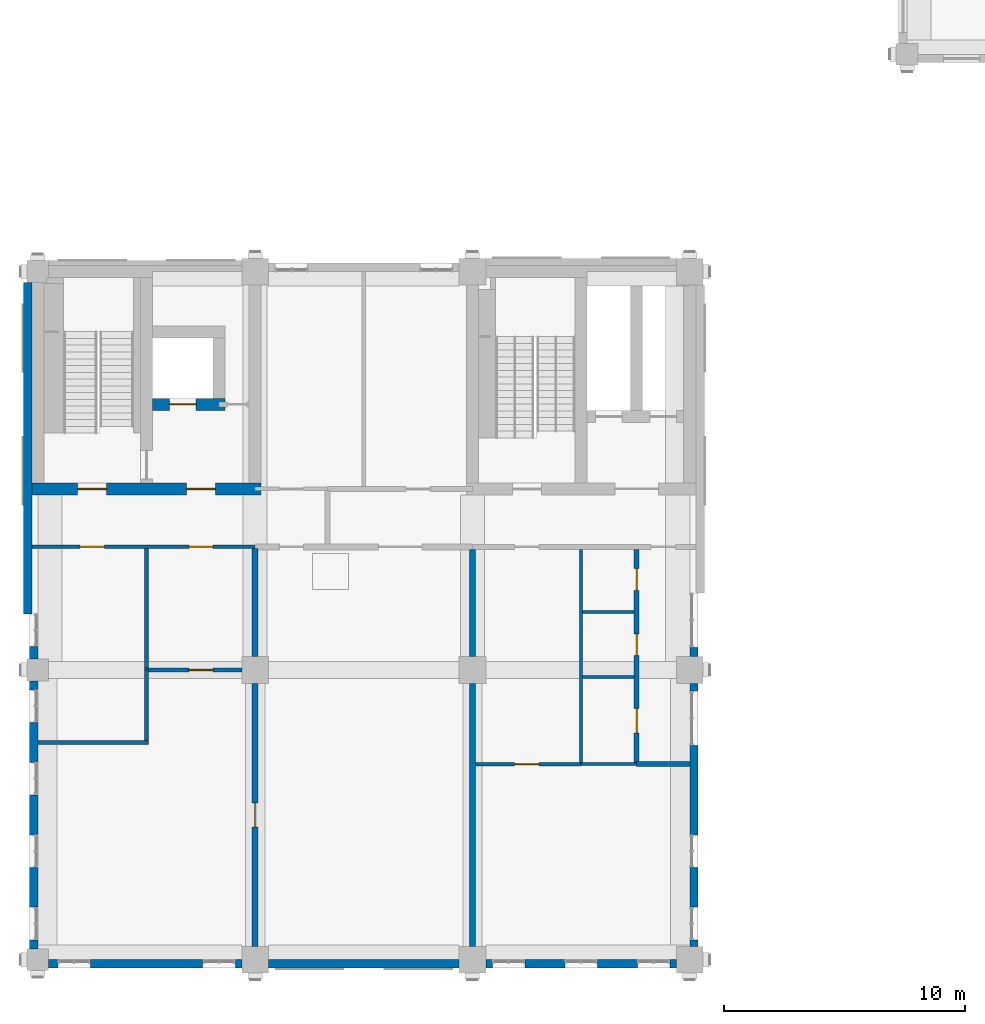
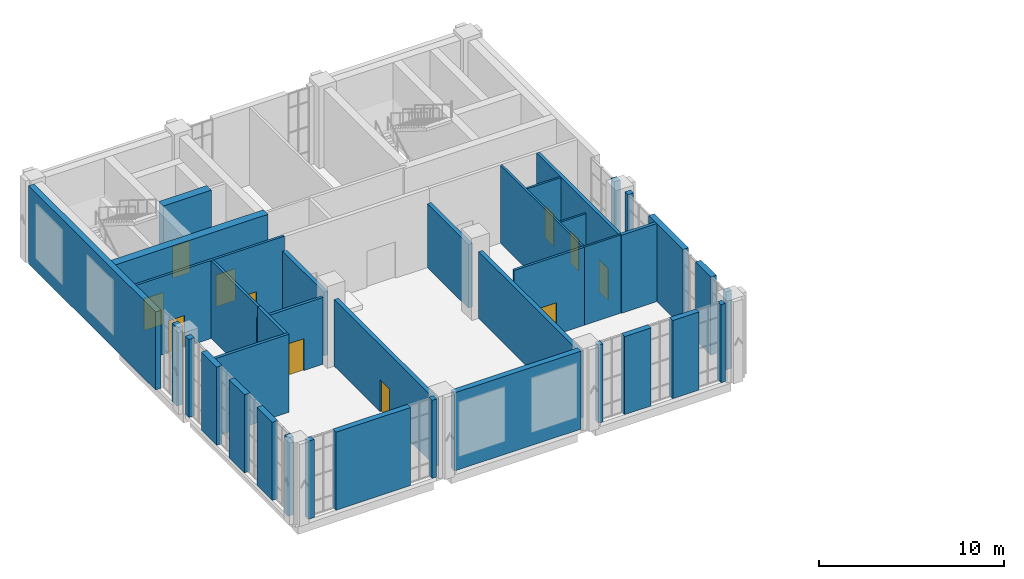
# One storey, part 25 of 39: 38 walls, 11 doors, 11 openings.
"""IFC4 building model written with IfcOpenShell, lengths in metres."""

import ifcopenshell
import ifcopenshell.guid

model = None  # the IFC model being written
_history = None  # IfcOwnerHistory: only IFC2X3 demands one
_inside = {}  # id of a spatial element -> (the spatial element, [elements in it])
_under = {}  # id of a project, library or spatial element -> (it, [spatial elements below it])
_declared = {}  # id of a project -> (the project, [libraries it declares])
_typed = {}  # id of a type object -> (the type object, [elements of that type])
_made_of = {}  # id of a material, layer set ... -> (it, [elements and type objects made of it])


def new_model(schema):
    """Start an empty IFC model of exactly this schema.

    Asked for "IFC4X3", IfcOpenShell would pick the latest addendum, in which some entities
    have other attributes; the version numbers below select the first issue.
    IFC2X3 requires an IfcOwnerHistory on every rooted entity: one is made here for all.
    """
    global model, _history
    if schema == "IFC4X3":
        model = ifcopenshell.file(schema_version=(4, 3, 0, 0))
    else:
        model = ifcopenshell.file(schema=schema)
    _inside.clear()
    _under.clear()
    _declared.clear()
    _typed.clear()
    _made_of.clear()
    _history = None
    if model.schema == "IFC2X3":
        org = make("IfcOrganization", Name="unknown")
        user = make(
            "IfcPersonAndOrganization",
            ThePerson=make("IfcPerson", FamilyName="unknown"),
            TheOrganization=org,
        )
        app = make(
            "IfcApplication",
            ApplicationDeveloper=org,
            Version="unknown",
            ApplicationFullName="unknown",
            ApplicationIdentifier="unknown",
        )
        _history = make(
            "IfcOwnerHistory",
            OwningUser=user,
            OwningApplication=app,
            ChangeAction="ADDED",
            CreationDate=0,
        )
    return model


def make(cls, **values):
    """One entity of the class cls with the attributes given. An attribute that is None is left unset."""
    return model.create_entity(
        cls, **{name: value for name, value in values.items() if value is not None}
    )


def rooted(cls, **values):
    """An entity with a GlobalId (a new one), such as an element, a storey or a relation."""
    return make(cls, GlobalId=ifcopenshell.guid.new(), OwnerHistory=_history, **values)


def si_unit(unit_type, name, prefix=None):
    """IfcSIUnit, for example si_unit("LENGTHUNIT", "METRE", prefix="MILLI")."""
    return make("IfcSIUnit", UnitType=unit_type, Prefix=prefix, Name=name)


def assignment(units):
    """IfcUnitAssignment: the units of a project."""
    return None if units is None else make("IfcUnitAssignment", Units=units)


def point(xyz):
    """IfcCartesianPoint."""
    return None if xyz is None else make("IfcCartesianPoint", Coordinates=xyz)


def direction(xyz):
    """IfcDirection."""
    return None if xyz is None else make("IfcDirection", DirectionRatios=xyz)


def frame(location, z_axis=None, x_axis=None):
    """IfcAxis2Placement3D, a coordinate frame: its origin and axes. An axis left out is left unset."""
    return make(
        "IfcAxis2Placement3D",
        Location=point(location),
        Axis=direction(z_axis),
        RefDirection=direction(x_axis),
    )


def frame_2d(location, x_axis=None):
    """IfcAxis2Placement2D, a coordinate frame in the plane: its origin and x axis."""
    return make(
        "IfcAxis2Placement2D", Location=point(location), RefDirection=direction(x_axis)
    )


def origin():
    """The frame at (0, 0, 0) with its axes left unset."""
    return frame((0.0, 0.0, 0.0))


def place(relative_to, where):
    """IfcLocalPlacement: puts the frame where relative to a parent placement (None: the world)."""
    return make(
        "IfcLocalPlacement", PlacementRelTo=relative_to, RelativePlacement=where
    )


def context(
    kind, dimensions, precision=None, world=None, true_north=None, identifier=None
):
    """IfcGeometricRepresentationContext, for example the 3D "Model" context."""
    return make(
        "IfcGeometricRepresentationContext",
        ContextIdentifier=identifier,
        ContextType=kind,
        CoordinateSpaceDimension=dimensions,
        Precision=precision,
        WorldCoordinateSystem=world,
        TrueNorth=true_north,
    )


def subcontext(parent, identifier, kind, view, scale=None):
    """IfcGeometricRepresentationSubContext, for example "Body" below "Model"."""
    return make(
        "IfcGeometricRepresentationSubContext",
        ContextIdentifier=identifier,
        ContextType=kind,
        ParentContext=parent,
        TargetScale=scale,
        TargetView=view,
    )


def project(units=None, contexts=None):
    """IfcProject with its units and contexts."""
    return rooted(
        "IfcProject",
        Name="project",
        RepresentationContexts=contexts,
        UnitsInContext=assignment(units),
    )


def spatial(cls, under=None, at=None, **own):
    """A site, building, storey or space (cls), placed at a placement, below another one or the project."""
    s = rooted(cls, ObjectPlacement=at, **own)
    if under is not None:
        _under.setdefault(under.id(), (under, []))[1].append(s)
    return s


def profile(cls, at=None, kind="AREA", **sizes):
    """A parametric profile (cls). Its sizes go by their IFC names, for example OverallWidth=200.0."""
    return make(cls, ProfileType=kind, Position=at, **sizes)


def rectangle(**sizes):
    """IfcRectangleProfileDef."""
    return profile("IfcRectangleProfileDef", **sizes)


def extrude(swept, where, along, depth):
    """IfcExtrudedAreaSolid: the profile swept, set in the frame where, extruded along a direction by depth."""
    return make(
        "IfcExtrudedAreaSolid",
        SweptArea=swept,
        Position=where,
        ExtrudedDirection=direction(along),
        Depth=depth,
    )


def shape(context_of_items, identifier, shape_type, items):
    """IfcShapeRepresentation: the items that make up one representation, for example the "Body"."""
    return make(
        "IfcShapeRepresentation",
        ContextOfItems=context_of_items,
        RepresentationIdentifier=identifier,
        RepresentationType=shape_type,
        Items=items,
    )


def material(Name=None, Category=None):
    """IfcMaterial."""
    return make("IfcMaterial", Name=Name, Category=Category)


def layer(
    of_material, thickness, ventilated=None, Name=None, Category=None, Priority=None
):
    """IfcMaterialLayer: one layer of a wall or slab, of a material (None: an air gap)."""
    return make(
        "IfcMaterialLayer",
        Material=of_material,
        LayerThickness=thickness,
        IsVentilated=ventilated,
        Name=Name,
        Category=Category,
        Priority=Priority,
    )


def layer_set(layers, Name=None):
    """IfcMaterialLayerSet."""
    return make("IfcMaterialLayerSet", MaterialLayers=layers, LayerSetName=Name)


def made_of(thing, what):
    """Note that an element or type object is made of a material, layer set ...; save() writes the relation."""
    if what is not None:
        _made_of.setdefault(what.id(), (what, []))[1].append(thing)
    return thing


def type_object(cls, material=None, **own):
    """A type object (cls), such as IfcWallType, which elements share."""
    return made_of(rooted(cls, **own), material)


def element(
    cls,
    number,
    at=None,
    inside=None,
    cuts=None,
    type_object=None,
    material=None,
    context=None,
    identifier="Body",
    shape_type=None,
    held_by="IfcProductDefinitionShape",
    body=None,
    shapes=None,
    **own,
):
    """One element of the class cls, such as IfcWall. Its Tag is "e" and its number.

    at: its placement. inside: the storey or other place that contains it. cuts: it is an
    opening in that element (IfcRelVoidsElement). A single representation is given by context,
    identifier, shape_type and body (its items); several are given by shapes. held_by: the class
    of the entity that holds the representations. save() writes the other relations.
    """
    e = rooted(cls, Tag="e%d" % number, ObjectPlacement=at, **own)
    if body is not None:
        shapes = [shape(context, identifier, shape_type, body)]
    if shapes is not None:
        e.Representation = make(held_by, Representations=shapes)
    if inside is not None:
        _inside.setdefault(inside.id(), (inside, []))[1].append(e)
    if cuts is not None:
        rooted(
            "IfcRelVoidsElement", RelatingBuildingElement=cuts, RelatedOpeningElement=e
        )
    if type_object is not None:
        _typed.setdefault(type_object.id(), (type_object, []))[1].append(e)
    return made_of(e, material)


def fill(opening, filler):
    """IfcRelFillsElement: the door or window that sits in an opening."""
    return rooted(
        "IfcRelFillsElement",
        RelatingOpeningElement=opening,
        RelatedBuildingElement=filler,
    )


def aggregate(whole, parts):
    """IfcRelAggregates: a whole, such as a stair, and the parts it consists of."""
    return rooted("IfcRelAggregates", RelatingObject=whole, RelatedObjects=parts)


def save(model, path):
    """Write the relations noted so far, then the file.

    IfcRelAggregates (storeys below a building ...), IfcRelContainedInSpatialStructure (elements
    in a storey), IfcRelDefinesByType, IfcRelAssociatesMaterial and IfcRelDeclares: one each for
    every whole, place, type object, material and project.
    """
    for whole, parts in _under.values():
        aggregate(whole, parts)
    for where, things in _inside.values():
        rooted(
            "IfcRelContainedInSpatialStructure",
            RelatedElements=things,
            RelatingStructure=where,
        )
    for kind, things in _typed.values():
        rooted("IfcRelDefinesByType", RelatedObjects=things, RelatingType=kind)
    for what, things in _made_of.values():
        rooted("IfcRelAssociatesMaterial", RelatedObjects=things, RelatingMaterial=what)
    for by, libraries in _declared.values():
        rooted("IfcRelDeclares", RelatingContext=by, RelatedDefinitions=libraries)
    model.write(path)


model = new_model("IFC4")

# Units and contexts
model_context = context("Model", 3, precision=1e-05, world=origin(), true_north=direction((0.0, 1.0)))
body_context = subcontext(model_context, "Body", "Model", "MODEL_VIEW")
ifc_project = project(units=[si_unit("LENGTHUNIT", "METRE"), si_unit("AREAUNIT", "SQUARE_METRE"), si_unit("VOLUMEUNIT", "CUBIC_METRE"), si_unit("PLANEANGLEUNIT", "RADIAN"), si_unit("MASSUNIT", "GRAM", prefix="KILO")], contexts=[model_context])

# Site, building, storey
site_placement = place(None, origin())
site = spatial("IfcSite", under=ifc_project, at=site_placement, CompositionType="ELEMENT")
building_placement = place(site_placement, origin())
building = spatial("IfcBuilding", under=site, at=building_placement, Name="Aurelan Courthouse", CompositionType="ELEMENT")
storey_placement = place(building_placement, frame((0.0, 0.0, 28.199951171875)))
storey = spatial("IfcBuildingStorey", under=building, at=storey_placement, Name="L05", CompositionType="ELEMENT", Elevation=28.199951171875)

# Wall
ifc_material_1 = material(Name="Gypsum board on metal studs")
ifc_layer_1 = layer(ifc_material_1, 0.175048828125)
ifc_layer_set_1 = layer_set([ifc_layer_1], Name="Gypsum board on metal studs")
wall_type_1 = type_object("IfcWallType", Name="Chambers acoustic partition 175 NOT RATED", PredefinedType="PARTITIONING", material=ifc_layer_set_1)
wall_1_placement = place(storey_placement, frame((0.0, 9.0, 0.0), z_axis=(0.0, 0.0, 1.0), x_axis=(1.0, 0.0, 0.0)))
element("IfcWall", 1, at=wall_1_placement, inside=storey, type_object=wall_type_1, Name="Chambers acoustic partition L05-004", PredefinedType="PARTITIONING", context=body_context, shape_type="SweptSolid", body=[
    extrude(rectangle(XDim=4.58740234375, YDim=0.175048828125, at=frame_2d((2.293701171875, 0.0))), origin(), (0.0, 0.0, 1.0), 5.150146484375),
])

# Wall, opening, door
wall_2_placement = place(storey_placement, frame((4.41259765625, 12.0, 0.0), z_axis=(0.0, 0.0, 1.0), x_axis=(1.0, 0.0, 0.0)))
wall_2 = element("IfcWall", 2, at=wall_2_placement, inside=storey, type_object=wall_type_1, Name="Chambers acoustic partition L05-006", PredefinedType="PARTITIONING", context=body_context, shape_type="SweptSolid", body=[
    extrude(rectangle(XDim=4.037353515625, YDim=0.175048828125, at=frame_2d((2.0185546875, 0.0))), origin(), (0.0, 0.0, 1.0), 4.400146484375),
])
opening_1_placement = place(wall_2_placement, frame((1.83740234375, 0.0, 0.0)))
opening_1 = element("IfcOpeningElement", 3, at=opening_1_placement, cuts=wall_2, Name="Opening D-L05-061", PredefinedType="OPENING", context=body_context, shape_type="SweptSolid", body=[
    extrude(rectangle(XDim=1.0, YDim=2.10009765625, at=frame_2d((0.5, 1.050048828125))), frame((0.0, 0.097412109375, 0.0), z_axis=(0.0, -1.0, 0.0), x_axis=(1.0, 0.0, 0.0)), (0.0, 0.0, 1.0), 0.195068359375),
])
ifc_material_2 = material(Name="Timber", Category="wood")
door_type_1 = type_object("IfcDoorType", Name="Single door 1000 x 2100 NOT RATED", OperationType="SINGLE_SWING_LEFT", PredefinedType="DOOR", material=ifc_material_2)
door_1_placement = place(opening_1_placement, origin())
door_1 = element("IfcDoor", 4, at=door_1_placement, inside=storey, type_object=door_type_1, Name="Single door D-L05-061", OperationType="SINGLE_SWING_RIGHT", OverallHeight=2.10009765625, OverallWidth=1.0, PredefinedType="DOOR", context=body_context, shape_type="SweptSolid", body=[
    extrude(rectangle(XDim=1.0, YDim=2.10009765625, at=frame_2d((0.5, 1.050048828125))), frame((0.0, 0.02490234375, 0.0), z_axis=(0.0, -1.0, 0.0), x_axis=(1.0, 0.0, 0.0)), (0.0, 0.0, 1.0), 0.050048828125),
])
fill(opening_1, door_1)

# Wall
wall_3_placement = place(storey_placement, frame((4.5, 9.08740234375, 0.0), z_axis=(0.0, 0.0, 1.0), x_axis=(0.0, 1.0, 0.0)))
element("IfcWall", 5, at=wall_3_placement, inside=storey, type_object=wall_type_1, Name="Chambers acoustic partition L05-040", PredefinedType="PARTITIONING", context=body_context, shape_type="SweptSolid", body=[
    extrude(rectangle(XDim=2.91259765625, YDim=0.175048828125, at=frame_2d((1.456298828125, 0.0))), origin(), (0.0, 0.0, 1.0), 5.150146484375),
])

# Wall, openings, doors
ifc_layer_2 = layer(ifc_material_1, 0.14990234375)
ifc_layer_set_2 = layer_set([ifc_layer_2], Name="Gypsum board on metal studs")
wall_type_2 = type_object("IfcWallType", Name="Corridor partition 150 EI 60", PredefinedType="PARTITIONING", material=ifc_layer_set_2)
wall_4_placement = place(storey_placement, frame((-0.25, 17.10009765625, 0.0), z_axis=(0.0, 0.0, 1.0), x_axis=(1.0, 0.0, 0.0)))
wall_4 = element("IfcWall", 6, at=wall_4_placement, inside=storey, type_object=wall_type_2, Name="Corridor partition L05-008", PredefinedType="PARTITIONING", context=body_context, shape_type="SweptSolid", body=[
    extrude(rectangle(XDim=9.25, YDim=0.14990234375, at=frame_2d((4.625, 0.0))), origin(), (0.0, 0.0, 1.0), 5.150146484375),
])
opening_2_placement = place(wall_4_placement, frame((3.0, 0.0, 0.0), z_axis=(0.0, 0.0, 1.0), x_axis=(-1.0, 0.0, 0.0)))
opening_2 = element("IfcOpeningElement", 7, at=opening_2_placement, cuts=wall_4, Name="Opening D-L05-059", PredefinedType="OPENING", context=body_context, shape_type="SweptSolid", body=[
    extrude(rectangle(XDim=1.0, YDim=2.10009765625, at=frame_2d((0.5, 1.050048828125))), frame((0.0, 0.0849609375, 0.0), z_axis=(0.0, -1.0, 0.0), x_axis=(1.0, 0.0, 0.0)), (0.0, 0.0, 1.0), 0.169921875),
])
opening_3_placement = place(wall_4_placement, frame((7.5, 0.0, 0.0), z_axis=(0.0, 0.0, 1.0), x_axis=(-1.0, 0.0, 0.0)))
opening_3 = element("IfcOpeningElement", 8, at=opening_3_placement, cuts=wall_4, Name="Opening D-L05-060", PredefinedType="OPENING", context=body_context, shape_type="SweptSolid", body=[
    extrude(rectangle(XDim=1.0, YDim=2.10009765625, at=frame_2d((0.5, 1.050048828125))), frame((0.0, 0.0849609375, 0.0), z_axis=(0.0, -1.0, 0.0), x_axis=(1.0, 0.0, 0.0)), (0.0, 0.0, 1.0), 0.169921875),
])
ifc_material_3 = material(Name="Steel", Category="steel")
door_type_2 = type_object("IfcDoorType", Name="Single door 1000 x 2100 FD60", OperationType="SINGLE_SWING_LEFT", PredefinedType="DOOR", material=ifc_material_3)
door_2_placement = place(opening_2_placement, origin())
door_2 = element("IfcDoor", 9, at=door_2_placement, inside=storey, type_object=door_type_2, Name="Single door D-L05-059", OperationType="SINGLE_SWING_LEFT", OverallHeight=2.10009765625, OverallWidth=1.0, PredefinedType="DOOR", context=body_context, shape_type="SweptSolid", body=[
    extrude(rectangle(XDim=1.0, YDim=2.10009765625, at=frame_2d((0.5, 1.050048828125))), frame((0.0, 0.02490234375, 0.0), z_axis=(0.0, -1.0, 0.0), x_axis=(1.0, 0.0, 0.0)), (0.0, 0.0, 1.0), 0.050048828125),
])
fill(opening_2, door_2)
door_3_placement = place(opening_3_placement, origin())
door_3 = element("IfcDoor", 10, at=door_3_placement, inside=storey, type_object=door_type_2, Name="Single door D-L05-060", OperationType="SINGLE_SWING_RIGHT", OverallHeight=2.10009765625, OverallWidth=1.0, PredefinedType="DOOR", context=body_context, shape_type="SweptSolid", body=[
    extrude(rectangle(XDim=1.0, YDim=2.10009765625, at=frame_2d((0.5, 1.050048828125))), frame((0.0, 0.02490234375, 0.0), z_axis=(0.0, -1.0, 0.0), x_axis=(1.0, 0.0, 0.0)), (0.0, 0.0, 1.0), 0.050048828125),
])
fill(opening_3, door_3)

# Wall, opening, door
ifc_material_4 = material(Name="Masonry block", Category="masonry")
ifc_layer_3 = layer(ifc_material_4, 0.25)
ifc_layer_set_3 = layer_set([ifc_layer_3], Name="Masonry block")
wall_type_3 = type_object("IfcWallType", Name="Courtroom wall 250 EI 60", PredefinedType="PARTITIONING", material=ifc_layer_set_3)
wall_5_placement = place(storey_placement, frame((9.0, 0.550048828125, 0.0), z_axis=(0.0, 0.0, 1.0), x_axis=(0.0, 1.0, 0.0)))
wall_5 = element("IfcWall", 11, at=wall_5_placement, inside=storey, type_object=wall_type_3, Name="Courtroom wall L05-042", PredefinedType="PARTITIONING", context=body_context, shape_type="SweptSolid", body=[
    extrude(rectangle(XDim=10.89990234375, YDim=0.25, at=frame_2d((5.449951171875, 0.0))), origin(), (0.0, 0.0, 1.0), 4.400146484375),
])
opening_4_placement = place(wall_5_placement, frame((5.949951171875, 0.0, 0.0), z_axis=(0.0, 0.0, 1.0), x_axis=(-1.0, 0.0, 0.0)))
opening_4 = element("IfcOpeningElement", 12, at=opening_4_placement, cuts=wall_5, Name="Opening D-L05-062", PredefinedType="OPENING", context=body_context, shape_type="SweptSolid", body=[
    extrude(rectangle(XDim=1.0, YDim=2.10009765625, at=frame_2d((0.5, 1.050048828125))), frame((0.0, 0.135009765625, 0.0), z_axis=(0.0, -1.0, 0.0), x_axis=(1.0, 0.0, 0.0)), (0.0, 0.0, 1.0), 0.27001953125),
])
door_type_3 = type_object("IfcDoorType", Name="Single door 1000 x 2100 FD30", OperationType="SINGLE_SWING_LEFT", PredefinedType="DOOR", material=ifc_material_3)
door_4_placement = place(opening_4_placement, origin())
door_4 = element("IfcDoor", 13, at=door_4_placement, inside=storey, type_object=door_type_3, Name="Single door D-L05-062", OperationType="SINGLE_SWING_RIGHT", OverallHeight=2.10009765625, OverallWidth=1.0, PredefinedType="DOOR", context=body_context, shape_type="SweptSolid", body=[
    extrude(rectangle(XDim=1.0, YDim=2.10009765625, at=frame_2d((0.5, 1.050048828125))), frame((0.0, 0.02490234375, 0.0), z_axis=(0.0, -1.0, 0.0), x_axis=(1.0, 0.0, 0.0)), (0.0, 0.0, 1.0), 0.050048828125),
])
fill(opening_4, door_4)

# Walls
wall_6_placement = place(storey_placement, frame((9.0, 12.550048828125, 0.0), z_axis=(0.0, 0.0, 1.0), x_axis=(0.0, 1.0, 0.0)))
element("IfcWall", 14, at=wall_6_placement, inside=storey, type_object=wall_type_3, Name="Courtroom wall L05-043", PredefinedType="PARTITIONING", context=body_context, shape_type="SweptSolid", body=[
    extrude(rectangle(XDim=4.474853515625, YDim=0.25, at=frame_2d((2.2373046875, 0.0))), origin(), (0.0, 0.0, 1.0), 4.199951171875),
])
wall_7_placement = place(storey_placement, frame((18.0, 0.550048828125, 0.0), z_axis=(0.0, 0.0, 1.0), x_axis=(0.0, 1.0, 0.0)))
element("IfcWall", 15, at=wall_7_placement, inside=storey, type_object=wall_type_3, Name="Courtroom wall L05-046", PredefinedType="PARTITIONING", context=body_context, shape_type="SweptSolid", body=[
    extrude(rectangle(XDim=10.89990234375, YDim=0.25, at=frame_2d((5.449951171875, 0.0))), origin(), (0.0, 0.0, 1.0), 4.400146484375),
])
wall_8_placement = place(storey_placement, frame((18.0, 12.550048828125, 0.0), z_axis=(0.0, 0.0, 1.0), x_axis=(0.0, 1.0, 0.0)))
element("IfcWall", 16, at=wall_8_placement, inside=storey, type_object=wall_type_3, Name="Courtroom wall L05-047", PredefinedType="PARTITIONING", context=body_context, shape_type="SweptSolid", body=[
    extrude(rectangle(XDim=4.449951171875, YDim=0.25, at=frame_2d((2.22509765625, 0.0))), origin(), (0.0, 0.0, 1.0), 4.199951171875),
])
ifc_material_5 = material(Name="Limestone cladding", Category="masonry")
ifc_layer_4 = layer(ifc_material_5, 0.10009765625, Name="Facing")
ifc_material_6 = material(Name="Ventilated cavity")
ifc_layer_5 = layer(ifc_material_6, 0.02490234375, ventilated=True, Name="Ventilated cavity")
ifc_material_7 = material(Name="Mineral wool insulation")
ifc_layer_6 = layer(ifc_material_7, 0.050048828125, Name="Insulation")
ifc_material_8 = material(Name="Concrete C30", Category="concrete")
ifc_layer_7 = layer(ifc_material_8, 0.175048828125, Name="Structure")
ifc_layer_set_4 = layer_set([ifc_layer_4, ifc_layer_5, ifc_layer_6, ifc_layer_7], Name="Concrete C30")
wall_type_4 = type_object("IfcWallType", Name="Courts' Floors stone-faced wall 350", PredefinedType="SOLIDWALL", material=ifc_layer_set_4)
wall_9_placement = place(storey_placement, frame((0.449951171875, -0.175048828125, 0.0), z_axis=(0.0, 0.0, 1.0), x_axis=(1.0, 0.0, 0.0)))
element("IfcWall", 17, at=wall_9_placement, inside=storey, type_object=wall_type_4, Name="Facade wall FW-V5-L05-001", PredefinedType="SOLIDWALL", context=body_context, shape_type="SweptSolid", body=[
    extrude(rectangle(XDim=0.375, YDim=0.35009765625, at=frame_2d((0.1875, 0.0))), origin(), (0.0, 0.0, 1.0), 5.150146484375),
])
wall_10_placement = place(storey_placement, frame((2.175048828125, -0.175048828125, 0.0), z_axis=(0.0, 0.0, 1.0), x_axis=(1.0, 0.0, 0.0)))
element("IfcWall", 18, at=wall_10_placement, inside=storey, type_object=wall_type_4, Name="Facade wall FW-V5-L05-002", PredefinedType="SOLIDWALL", context=body_context, shape_type="SweptSolid", body=[
    extrude(rectangle(XDim=4.64990234375, YDim=0.35009765625, at=frame_2d((2.324951171875, 0.0))), origin(), (0.0, 0.0, 1.0), 5.150146484375),
])
wall_11_placement = place(storey_placement, frame((8.175048828125, -0.175048828125, 0.0), z_axis=(0.0, 0.0, 1.0), x_axis=(1.0, 0.0, 0.0)))
element("IfcWall", 19, at=wall_11_placement, inside=storey, type_object=wall_type_4, Name="Facade wall FW-V5-L05-003", PredefinedType="SOLIDWALL", context=body_context, shape_type="SweptSolid", body=[
    extrude(rectangle(XDim=0.27490234375, YDim=0.35009765625, at=frame_2d((0.137451171875, 0.0))), origin(), (0.0, 0.0, 1.0), 5.150146484375),
])
wall_12_placement = place(storey_placement, frame((9.550048828125, -0.175048828125, 0.0), z_axis=(0.0, 0.0, 1.0), x_axis=(1.0, 0.0, 0.0)))
element("IfcWall", 20, at=wall_12_placement, inside=storey, type_object=wall_type_4, Name="Facade wall FW-V5-L05-004", PredefinedType="SOLIDWALL", context=body_context, shape_type="SweptSolid", body=[
    extrude(rectangle(XDim=7.89990234375, YDim=0.35009765625, at=frame_2d((3.949951171875, 0.0))), origin(), (0.0, 0.0, 1.0), 5.150146484375),
])
wall_13_placement = place(storey_placement, frame((18.550048828125, -0.175048828125, 0.0), z_axis=(0.0, 0.0, 1.0), x_axis=(1.0, 0.0, 0.0)))
element("IfcWall", 21, at=wall_13_placement, inside=storey, type_object=wall_type_4, Name="Facade wall FW-V5-L05-005", PredefinedType="SOLIDWALL", context=body_context, shape_type="SweptSolid", body=[
    extrude(rectangle(XDim=0.27490234375, YDim=0.35009765625, at=frame_2d((0.137451171875, 0.0))), origin(), (0.0, 0.0, 1.0), 5.150146484375),
])
for number, where, z_axis, x_axis, name in (
    (22, (20.175048828125, -0.175048828125, 0.0), (0.0, 0.0, 1.0), (1.0, 0.0, 0.0), "Facade wall FW-V5-L05-006"),
    (23, (23.175048828125, -0.175048828125, 0.0), (0.0, 0.0, 1.0), (1.0, 0.0, 0.0), "Facade wall FW-V5-L05-007"),
):
    element("IfcWall", number, at=place(storey_placement, frame(where, z_axis=z_axis, x_axis=x_axis)), inside=storey, type_object=wall_type_4, Name=name, PredefinedType="SOLIDWALL", context=body_context, shape_type="SweptSolid", body=[
        extrude(rectangle(XDim=1.64990234375, YDim=0.35009765625, at=frame_2d((0.824951171875, 0.0))), origin(), (0.0, 0.0, 1.0), 5.150146484375),
    ])
for number, where, z_axis, x_axis, name in (
    (24, (26.175048828125, -0.175048828125, 0.0), (0.0, 0.0, 1.0), (1.0, 0.0, 0.0), "Facade wall FW-V5-L05-008"),
    (25, (27.175048828125, 0.550048828125, 0.0), (0.0, 0.0, 1.0), (0.0, 1.0, 0.0), "Facade wall FW-V5-L05-014"),
):
    element("IfcWall", number, at=place(storey_placement, frame(where, z_axis=z_axis, x_axis=x_axis)), inside=storey, type_object=wall_type_4, Name=name, PredefinedType="SOLIDWALL", context=body_context, shape_type="SweptSolid", body=[
        extrude(rectangle(XDim=0.27490234375, YDim=0.35009765625, at=frame_2d((0.137451171875, 0.0))), origin(), (0.0, 0.0, 1.0), 5.150146484375),
    ])
wall_14_placement = place(storey_placement, frame((27.175048828125, 2.175048828125, 0.0), z_axis=(0.0, 0.0, 1.0), x_axis=(0.0, 1.0, 0.0)))
element("IfcWall", 26, at=wall_14_placement, inside=storey, type_object=wall_type_4, Name="Facade wall FW-V5-L05-015", PredefinedType="SOLIDWALL", context=body_context, shape_type="SweptSolid", body=[
    extrude(rectangle(XDim=1.64990234375, YDim=0.35009765625, at=frame_2d((0.824951171875, 0.0))), origin(), (0.0, 0.0, 1.0), 5.150146484375),
])
wall_15_placement = place(storey_placement, frame((27.175048828125, 5.175048828125, 0.0), z_axis=(0.0, 0.0, 1.0), x_axis=(0.0, 1.0, 0.0)))
element("IfcWall", 27, at=wall_15_placement, inside=storey, type_object=wall_type_4, Name="Facade wall FW-V5-L05-016", PredefinedType="SOLIDWALL", context=body_context, shape_type="SweptSolid", body=[
    extrude(rectangle(XDim=3.699951171875, YDim=0.35009765625, at=frame_2d((1.85009765625, 0.0))), origin(), (0.0, 0.0, 1.0), 5.150146484375),
])
wall_16_placement = place(storey_placement, frame((27.175048828125, 11.125, 0.0), z_axis=(0.0, 0.0, 1.0), x_axis=(0.0, 1.0, 0.0)))
element("IfcWall", 28, at=wall_16_placement, inside=storey, type_object=wall_type_4, Name="Facade wall FW-V5-L05-017", PredefinedType="SOLIDWALL", context=body_context, shape_type="SweptSolid", body=[
    extrude(rectangle(XDim=0.324951171875, YDim=0.35009765625, at=frame_2d((0.16259765625, 0.0))), origin(), (0.0, 0.0, 1.0), 5.150146484375),
])
wall_17_placement = place(storey_placement, frame((27.175048828125, 12.550048828125, 0.0), z_axis=(0.0, 0.0, 1.0), x_axis=(0.0, 1.0, 0.0)))
element("IfcWall", 29, at=wall_17_placement, inside=storey, type_object=wall_type_4, Name="Facade wall FW-V5-L05-018", PredefinedType="SOLIDWALL", context=body_context, shape_type="SweptSolid", body=[
    extrude(rectangle(XDim=0.387451171875, YDim=0.35009765625, at=frame_2d((0.19384765625, 0.0))), origin(), (0.0, 0.0, 1.0), 5.150146484375),
])
wall_18_placement = place(storey_placement, frame((-0.175048828125, 0.449951171875, 0.0), z_axis=(0.0, 0.0, 1.0), x_axis=(0.0, 1.0, 0.0)))
element("IfcWall", 30, at=wall_18_placement, inside=storey, type_object=wall_type_4, Name="Facade wall FW-V5-L05-020", PredefinedType="SOLIDWALL", context=body_context, shape_type="SweptSolid", body=[
    extrude(rectangle(XDim=0.375, YDim=0.35009765625, at=frame_2d((0.1875, 0.0))), origin(), (0.0, 0.0, 1.0), 5.150146484375),
])
for number, where, z_axis, x_axis, name in (
    (31, (-0.175048828125, 2.175048828125, 0.0), (0.0, 0.0, 1.0), (0.0, 1.0, 0.0), "Facade wall FW-V5-L05-021"),
    (32, (-0.175048828125, 5.175048828125, 0.0), (0.0, 0.0, 1.0), (0.0, 1.0, 0.0), "Facade wall FW-V5-L05-022"),
    (33, (-0.175048828125, 8.175048828125, 0.0), (0.0, 0.0, 1.0), (0.0, 1.0, 0.0), "Facade wall FW-V5-L05-023"),
):
    element("IfcWall", number, at=place(storey_placement, frame(where, z_axis=z_axis, x_axis=x_axis)), inside=storey, type_object=wall_type_4, Name=name, PredefinedType="SOLIDWALL", context=body_context, shape_type="SweptSolid", body=[
        extrude(rectangle(XDim=1.64990234375, YDim=0.35009765625, at=frame_2d((0.824951171875, 0.0))), origin(), (0.0, 0.0, 1.0), 5.150146484375),
    ])
wall_19_placement = place(storey_placement, frame((-0.175048828125, 11.175048828125, 0.0), z_axis=(0.0, 0.0, 1.0), x_axis=(0.0, 1.0, 0.0)))
element("IfcWall", 34, at=wall_19_placement, inside=storey, type_object=wall_type_4, Name="Facade wall FW-V5-L05-024", PredefinedType="SOLIDWALL", context=body_context, shape_type="SweptSolid", body=[
    extrude(rectangle(XDim=0.375, YDim=0.35009765625, at=frame_2d((0.1875, 0.0))), origin(), (0.0, 0.0, 1.0), 5.150146484375),
])
wall_20_placement = place(storey_placement, frame((-0.175048828125, 12.449951171875, 0.0), z_axis=(0.0, 0.0, 1.0), x_axis=(0.0, 1.0, 0.0)))
element("IfcWall", 35, at=wall_20_placement, inside=storey, type_object=wall_type_4, Name="Facade wall FW-V5-L05-025", PredefinedType="SOLIDWALL", context=body_context, shape_type="SweptSolid", body=[
    extrude(rectangle(XDim=0.525146484375, YDim=0.35009765625, at=frame_2d((0.2626953125, 0.0))), origin(), (0.0, 0.0, 1.0), 5.150146484375),
])
wall_21_placement = place(storey_placement, frame((-0.425048828125, 14.324951171875, 0.0), z_axis=(0.0, 0.0, 1.0), x_axis=(0.0, 1.0, 0.0)))
element("IfcWall", 36, at=wall_21_placement, inside=storey, type_object=wall_type_4, Name="Facade wall FW-V5-L05-026", PredefinedType="SOLIDWALL", context=body_context, shape_type="SweptSolid", body=[
    extrude(rectangle(XDim=13.72509765625, YDim=0.35009765625, at=frame_2d((6.862548828125, 0.0))), origin(), (0.0, 0.0, 1.0), 5.150146484375),
])
ifc_layer_8 = layer(ifc_material_4, 0.199951171875)
ifc_layer_set_5 = layer_set([ifc_layer_8], Name="Masonry block")
wall_type_5 = type_object("IfcWallType", Name="Lift lobby wall 200 EI 60", PredefinedType="PARTITIONING", material=ifc_layer_set_5)
wall_22_placement = place(storey_placement, frame((24.800048828125, 8.10009765625, 0.0), z_axis=(0.0, 0.0, 1.0), x_axis=(1.0, 0.0, 0.0)))
element("IfcWall", 37, at=wall_22_placement, inside=storey, type_object=wall_type_5, Name="Lift lobby wall L05-003", PredefinedType="PARTITIONING", context=body_context, shape_type="SweptSolid", body=[
    extrude(rectangle(XDim=2.199951171875, YDim=0.199951171875, at=frame_2d((1.10009765625, 0.0))), origin(), (0.0, 0.0, 1.0), 5.150146484375),
])

# Wall, openings, doors
wall_23_placement = place(storey_placement, frame((24.800048828125, 8.16259765625, 0.0), z_axis=(0.0, 0.0, 1.0), x_axis=(0.0, 1.0, 0.0)))
wall_23 = element("IfcWall", 38, at=wall_23_placement, inside=storey, type_object=wall_type_5, Name="Lift lobby wall L05-049", PredefinedType="PARTITIONING", context=body_context, shape_type="SweptSolid", body=[
    extrude(rectangle(XDim=8.83740234375, YDim=0.199951171875, at=frame_2d((4.418701171875, 0.0))), origin(), (0.0, 0.0, 1.0), 5.150146484375),
])
opening_5_placement = place(wall_23_placement, frame((7.137451171875, 0.0, 0.0)))
opening_5 = element("IfcOpeningElement", 39, at=opening_5_placement, cuts=wall_23, Name="Opening D-L05-066", PredefinedType="OPENING", context=body_context, shape_type="SweptSolid", body=[
    extrude(rectangle(XDim=0.89990234375, YDim=2.10009765625, at=frame_2d((0.449951171875, 1.050048828125))), frame((0.0, 0.10986328125, 0.0), z_axis=(0.0, -1.0, 0.0), x_axis=(1.0, 0.0, 0.0)), (0.0, 0.0, 1.0), 0.219970703125),
])
opening_6_placement = place(wall_23_placement, frame((4.4375, 0.0, 0.0)))
opening_6 = element("IfcOpeningElement", 40, at=opening_6_placement, cuts=wall_23, Name="Opening D-L05-067", PredefinedType="OPENING", context=body_context, shape_type="SweptSolid", body=[
    extrude(rectangle(XDim=0.89990234375, YDim=2.10009765625, at=frame_2d((0.449951171875, 1.050048828125))), frame((0.0, 0.10986328125, 0.0), z_axis=(0.0, -1.0, 0.0), x_axis=(1.0, 0.0, 0.0)), (0.0, 0.0, 1.0), 0.219970703125),
])
opening_7_placement = place(wall_23_placement, frame((1.237548828125, 0.0, 0.0)))
opening_7 = element("IfcOpeningElement", 41, at=opening_7_placement, cuts=wall_23, Name="Opening D-L05-068", PredefinedType="OPENING", context=body_context, shape_type="SweptSolid", body=[
    extrude(rectangle(XDim=1.0, YDim=2.10009765625, at=frame_2d((0.5, 1.050048828125))), frame((0.0, 0.10986328125, 0.0), z_axis=(0.0, -1.0, 0.0), x_axis=(1.0, 0.0, 0.0)), (0.0, 0.0, 1.0), 0.219970703125),
])
door_5_placement = place(opening_7_placement, origin())
door_5 = element("IfcDoor", 42, at=door_5_placement, inside=storey, type_object=door_type_2, Name="Single door D-L05-068", OperationType="SINGLE_SWING_LEFT", OverallHeight=2.10009765625, OverallWidth=1.0, PredefinedType="DOOR", context=body_context, shape_type="SweptSolid", body=[
    extrude(rectangle(XDim=1.0, YDim=2.10009765625, at=frame_2d((0.5, 1.050048828125))), frame((0.0, 0.02490234375, 0.0), z_axis=(0.0, -1.0, 0.0), x_axis=(1.0, 0.0, 0.0)), (0.0, 0.0, 1.0), 0.050048828125),
])
fill(opening_7, door_5)
door_type_4 = type_object("IfcDoorType", Name="Single door 900 x 2100 FD60", OperationType="SINGLE_SWING_LEFT", PredefinedType="DOOR", material=ifc_material_3)
door_6_placement = place(opening_5_placement, origin())
door_6 = element("IfcDoor", 43, at=door_6_placement, inside=storey, type_object=door_type_4, Name="Single door D-L05-066", OperationType="SINGLE_SWING_LEFT", OverallHeight=2.10009765625, OverallWidth=0.89990234375, PredefinedType="DOOR", context=body_context, shape_type="SweptSolid", body=[
    extrude(rectangle(XDim=0.89990234375, YDim=2.10009765625, at=frame_2d((0.449951171875, 1.050048828125))), frame((0.0, 0.02490234375, 0.0), z_axis=(0.0, -1.0, 0.0), x_axis=(1.0, 0.0, 0.0)), (0.0, 0.0, 1.0), 0.050048828125),
])
fill(opening_5, door_6)
door_7_placement = place(opening_6_placement, origin())
door_7 = element("IfcDoor", 44, at=door_7_placement, inside=storey, type_object=door_type_4, Name="Single door D-L05-067", OperationType="SINGLE_SWING_RIGHT", OverallHeight=2.10009765625, OverallWidth=0.89990234375, PredefinedType="DOOR", context=body_context, shape_type="SweptSolid", body=[
    extrude(rectangle(XDim=0.89990234375, YDim=2.10009765625, at=frame_2d((0.449951171875, 1.050048828125))), frame((0.0, 0.02490234375, 0.0), z_axis=(0.0, -1.0, 0.0), x_axis=(1.0, 0.0, 0.0)), (0.0, 0.0, 1.0), 0.050048828125),
])
fill(opening_6, door_7)

# Wall, opening, door
ifc_layer_9 = layer(ifc_material_1, 0.14990234375)
ifc_layer_set_6 = layer_set([ifc_layer_9], Name="Gypsum board on metal studs")
wall_type_6 = type_object("IfcWallType", Name="Partition 150 NOT RATED", PredefinedType="PARTITIONING", material=ifc_layer_set_6)
wall_24_placement = place(storey_placement, frame((18.125, 8.10009765625, 0.0), z_axis=(0.0, 0.0, 1.0), x_axis=(1.0, 0.0, 0.0)))
wall_24 = element("IfcWall", 45, at=wall_24_placement, inside=storey, type_object=wall_type_6, Name="Partition L05-001", PredefinedType="PARTITIONING", context=body_context, shape_type="SweptSolid", body=[
    extrude(rectangle(XDim=4.375, YDim=0.14990234375, at=frame_2d((2.1875, 0.0))), origin(), (0.0, 0.0, 1.0), 5.150146484375),
])
opening_8_placement = place(wall_24_placement, frame((2.625, 0.0, 0.0), z_axis=(0.0, 0.0, 1.0), x_axis=(-1.0, 0.0, 0.0)))
opening_8 = element("IfcOpeningElement", 46, at=opening_8_placement, cuts=wall_24, Name="Opening D-L05-065", PredefinedType="OPENING", context=body_context, shape_type="SweptSolid", body=[
    extrude(rectangle(XDim=1.0, YDim=2.10009765625, at=frame_2d((0.5, 1.050048828125))), frame((0.0, 0.0849609375, 0.0), z_axis=(0.0, -1.0, 0.0), x_axis=(1.0, 0.0, 0.0)), (0.0, 0.0, 1.0), 0.169921875),
])
door_8_placement = place(opening_8_placement, origin())
door_8 = element("IfcDoor", 47, at=door_8_placement, inside=storey, type_object=door_type_1, Name="Single door D-L05-065", OperationType="SINGLE_SWING_RIGHT", OverallHeight=2.10009765625, OverallWidth=1.0, PredefinedType="DOOR", context=body_context, shape_type="SweptSolid", body=[
    extrude(rectangle(XDim=1.0, YDim=2.10009765625, at=frame_2d((0.5, 1.050048828125))), frame((0.0, 0.02490234375, 0.0), z_axis=(0.0, -1.0, 0.0), x_axis=(1.0, 0.0, 0.0)), (0.0, 0.0, 1.0), 0.050048828125),
])
fill(opening_8, door_8)

# Wall
wall_25_placement = place(storey_placement, frame((4.5, 12.0, 0.0), z_axis=(0.0, 0.0, 1.0), x_axis=(0.0, 1.0, 0.0)))
element("IfcWall", 48, at=wall_25_placement, inside=storey, type_object=wall_type_6, Name="Partition L05-041", PredefinedType="PARTITIONING", context=body_context, shape_type="SweptSolid", body=[
    extrude(rectangle(XDim=5.02490234375, YDim=0.14990234375, at=frame_2d((2.512451171875, 0.0))), origin(), (0.0, 0.0, 1.0), 5.150146484375),
])

# Wall, openings, doors
ifc_material_9 = material(Name="Concrete C50", Category="concrete")
ifc_layer_10 = layer(ifc_material_9, 0.5)
ifc_layer_set_7 = layer_set([ifc_layer_10], Name="Concrete C50")
wall_type_7 = type_object("IfcWallType", Name="RC shear wall 500", PredefinedType="SHEAR", material=ifc_layer_set_7)
wall_26_placement = place(storey_placement, frame((-0.25, 19.5, 0.0), z_axis=(0.0, 0.0, 1.0), x_axis=(1.0, 0.0, 0.0)))
wall_26 = element("IfcWall", 49, at=wall_26_placement, inside=storey, type_object=wall_type_7, Name="Core wall SW-L05-001", PredefinedType="SHEAR", context=body_context, shape_type="SweptSolid", body=[
    extrude(rectangle(XDim=9.5, YDim=0.5, at=frame_2d((4.75, 0.0))), origin(), (0.0, 0.0, 1.0), 5.150146484375),
])
opening_9_placement = place(wall_26_placement, frame((1.89990234375, 0.0, 0.0)))
opening_9 = element("IfcOpeningElement", 50, at=opening_9_placement, cuts=wall_26, Name="Opening D-L05-046", PredefinedType="OPENING", context=body_context, shape_type="SweptSolid", body=[
    extrude(rectangle(XDim=1.199951171875, YDim=2.10009765625, at=frame_2d((0.60009765625, 1.050048828125))), frame((0.0, 0.260009765625, 0.0), z_axis=(0.0, -1.0, 0.0), x_axis=(1.0, 0.0, 0.0)), (0.0, 0.0, 1.0), 0.52001953125),
])
opening_10_placement = place(wall_26_placement, frame((6.39990234375, 0.0, 0.0)))
opening_10 = element("IfcOpeningElement", 51, at=opening_10_placement, cuts=wall_26, Name="Opening D-L05-048", PredefinedType="OPENING", context=body_context, shape_type="SweptSolid", body=[
    extrude(rectangle(XDim=1.199951171875, YDim=2.10009765625, at=frame_2d((0.60009765625, 1.050048828125))), frame((0.0, 0.260009765625, 0.0), z_axis=(0.0, -1.0, 0.0), x_axis=(1.0, 0.0, 0.0)), (0.0, 0.0, 1.0), 0.52001953125),
])
door_type_5 = type_object("IfcDoorType", Name="Single door 1200 x 2100 FD90", OperationType="SINGLE_SWING_LEFT", PredefinedType="DOOR", material=ifc_material_3)
door_9_placement = place(opening_9_placement, origin())
door_9 = element("IfcDoor", 52, at=door_9_placement, inside=storey, type_object=door_type_5, Name="Single door D-L05-046", OperationType="SINGLE_SWING_LEFT", OverallHeight=2.10009765625, OverallWidth=1.199951171875, PredefinedType="DOOR", context=body_context, shape_type="SweptSolid", body=[
    extrude(rectangle(XDim=1.199951171875, YDim=2.10009765625, at=frame_2d((0.60009765625, 1.050048828125))), frame((0.0, 0.02490234375, 0.0), z_axis=(0.0, -1.0, 0.0), x_axis=(1.0, 0.0, 0.0)), (0.0, 0.0, 1.0), 0.050048828125),
])
fill(opening_9, door_9)
door_10_placement = place(opening_10_placement, origin())
door_10 = element("IfcDoor", 53, at=door_10_placement, inside=storey, type_object=door_type_5, Name="Single door D-L05-048", OperationType="SINGLE_SWING_LEFT", OverallHeight=2.10009765625, OverallWidth=1.199951171875, PredefinedType="DOOR", context=body_context, shape_type="SweptSolid", body=[
    extrude(rectangle(XDim=1.199951171875, YDim=2.10009765625, at=frame_2d((0.60009765625, 1.050048828125))), frame((0.0, 0.02490234375, 0.0), z_axis=(0.0, -1.0, 0.0), x_axis=(1.0, 0.0, 0.0)), (0.0, 0.0, 1.0), 0.050048828125),
])
fill(opening_10, door_10)

# Wall, opening, door
wall_27_placement = place(storey_placement, frame((4.75, 23.0, 0.0), z_axis=(0.0, 0.0, 1.0), x_axis=(1.0, 0.0, 0.0)))
wall_27 = element("IfcWall", 54, at=wall_27_placement, inside=storey, type_object=wall_type_7, Name="Core wall SW-L05-011", PredefinedType="SHEAR", context=body_context, shape_type="SweptSolid", body=[
    extrude(rectangle(XDim=3.0, YDim=0.5, at=frame_2d((1.5, 0.0))), origin(), (0.0, 0.0, 1.0), 5.150146484375),
])
opening_11_placement = place(wall_27_placement, frame((0.699951171875, 0.0, 0.0)))
opening_11 = element("IfcOpeningElement", 55, at=opening_11_placement, cuts=wall_27, Name="Opening LD-V5-F1-L05", PredefinedType="OPENING", context=body_context, shape_type="SweptSolid", body=[
    extrude(rectangle(XDim=1.10009765625, YDim=2.10009765625, at=frame_2d((0.550048828125, 1.050048828125))), frame((0.0, 0.260009765625, 0.0), z_axis=(0.0, -1.0, 0.0), x_axis=(1.0, 0.0, 0.0)), (0.0, 0.0, 1.0), 0.52001953125),
])
door_type_6 = type_object("IfcDoorType", Name="Lift landing door 1100 x 2100 FD90", OperationType="SLIDING_TO_LEFT", PredefinedType="DOOR", material=ifc_material_3)
door_11_placement = place(opening_11_placement, origin())
door_11 = element("IfcDoor", 56, at=door_11_placement, inside=storey, type_object=door_type_6, Name="Lift landing door LD-V5-F1-L05", OperationType="SLIDING_TO_LEFT", OverallHeight=2.10009765625, OverallWidth=1.10009765625, PredefinedType="DOOR", context=body_context, shape_type="SweptSolid", body=[
    extrude(rectangle(XDim=1.10009765625, YDim=2.10009765625, at=frame_2d((0.550048828125, 1.050048828125))), frame((0.0, 0.02490234375, 0.0), z_axis=(0.0, -1.0, 0.0), x_axis=(1.0, 0.0, 0.0)), (0.0, 0.0, 1.0), 0.050048828125),
])
fill(opening_11, door_11)

# Walls
ifc_material_10 = material(Name="Moisture-resistant board on metal studs")
ifc_layer_11 = layer(ifc_material_10, 0.125)
ifc_layer_set_8 = layer_set([ifc_layer_11], Name="Moisture-resistant board on metal studs")
wall_type_8 = type_object("IfcWallType", Name="Wet-area partition 125 NOT RATED", PredefinedType="PARTITIONING", material=ifc_layer_set_8)
wall_28_placement = place(storey_placement, frame((22.5, 8.10009765625, 0.0), z_axis=(0.0, 0.0, 1.0), x_axis=(1.0, 0.0, 0.0)))
element("IfcWall", 57, at=wall_28_placement, inside=storey, type_object=wall_type_8, Name="Wet-area partition L05-002", PredefinedType="PARTITIONING", context=body_context, shape_type="SweptSolid", body=[
    extrude(rectangle(XDim=2.300048828125, YDim=0.125, at=frame_2d((1.14990234375, 0.0))), origin(), (0.0, 0.0, 1.0), 5.150146484375),
])
wall_29_placement = place(storey_placement, frame((22.5625, 11.699951171875, 0.0), z_axis=(0.0, 0.0, 1.0), x_axis=(1.0, 0.0, 0.0)))
element("IfcWall", 58, at=wall_29_placement, inside=storey, type_object=wall_type_8, Name="Wet-area partition L05-005", PredefinedType="PARTITIONING", context=body_context, shape_type="SweptSolid", body=[
    extrude(rectangle(XDim=2.137451171875, YDim=0.125, at=frame_2d((1.06884765625, 0.0))), origin(), (0.0, 0.0, 1.0), 4.400146484375),
])
wall_30_placement = place(storey_placement, frame((22.5625, 14.39990234375, 0.0), z_axis=(0.0, 0.0, 1.0), x_axis=(1.0, 0.0, 0.0)))
element("IfcWall", 59, at=wall_30_placement, inside=storey, type_object=wall_type_8, Name="Wet-area partition L05-007", PredefinedType="PARTITIONING", context=body_context, shape_type="SweptSolid", body=[
    extrude(rectangle(XDim=2.137451171875, YDim=0.125, at=frame_2d((1.06884765625, 0.0))), origin(), (0.0, 0.0, 1.0), 5.150146484375),
])
wall_31_placement = place(storey_placement, frame((22.5, 8.16259765625, 0.0), z_axis=(0.0, 0.0, 1.0), x_axis=(0.0, 1.0, 0.0)))
element("IfcWall", 60, at=wall_31_placement, inside=storey, type_object=wall_type_8, Name="Wet-area partition L05-048", PredefinedType="PARTITIONING", context=body_context, shape_type="SweptSolid", body=[
    extrude(rectangle(XDim=8.83740234375, YDim=0.125, at=frame_2d((4.418701171875, 0.0))), origin(), (0.0, 0.0, 1.0), 5.150146484375),
])

save(model, "model.ifc")
